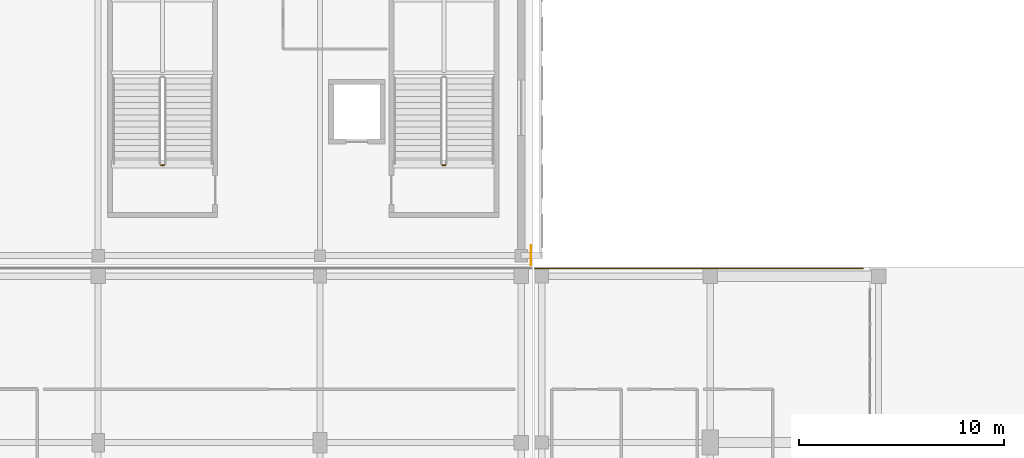
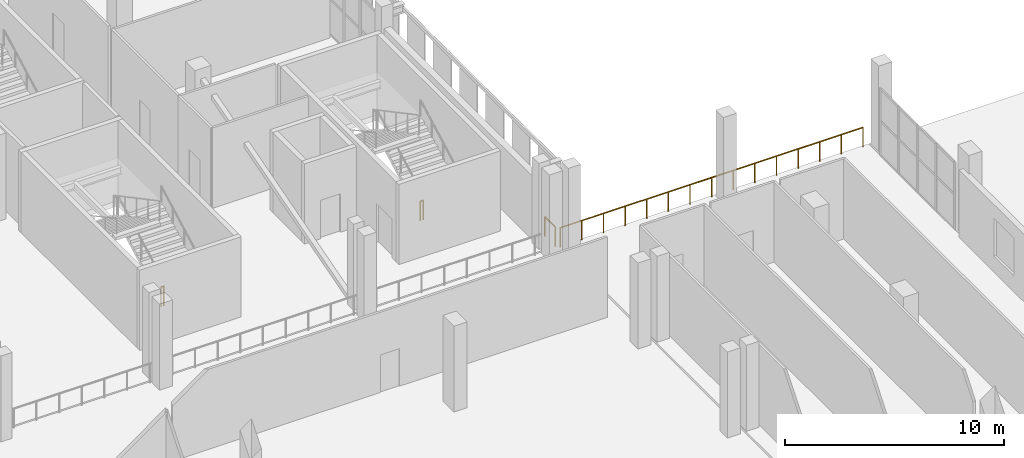
# One storey, part 130 of 142: 4 railings.
"""IFC4 building model written with IfcOpenShell, lengths in metres."""

from ifc_helpers import new_model, si_unit, direction, frame, origin, origin_2d, place, context, subcontext, project, spatial, circle, extrude, material, type_object, element, save


model = new_model("IFC4")

# Units and contexts
model_context = context("Model", 3, precision=1e-05, world=origin(), true_north=direction((0.0, 1.0)))
body_context = subcontext(model_context, "Body", "Model", "MODEL_VIEW")
ifc_project = project(units=[si_unit("LENGTHUNIT", "METRE"), si_unit("AREAUNIT", "SQUARE_METRE"), si_unit("VOLUMEUNIT", "CUBIC_METRE"), si_unit("PLANEANGLEUNIT", "RADIAN"), si_unit("MASSUNIT", "GRAM", prefix="KILO")], contexts=[model_context])

# Site, building, storey
site_placement = place(None, origin())
site = spatial("IfcSite", under=ifc_project, at=site_placement, CompositionType="ELEMENT")
building_placement = place(site_placement, origin())
building = spatial("IfcBuilding", under=site, at=building_placement, Name="Koshinbarg Plaza Stadium", CompositionType="ELEMENT")
storey_placement = place(building_placement, frame((0.0, 0.0, 10.199951171875)))
storey = spatial("IfcBuildingStorey", under=building, at=storey_placement, Name="L02", CompositionType="ELEMENT", Elevation=10.199951171875)

# Railings
ifc_material_1 = material(Name="Toughened laminated glass and stainless steel sightline balustrade", Category="steel")
railing_type_1 = type_object("IfcRailingType", Name="RL-BOWL-1100", PredefinedType="BALUSTRADE", material=ifc_material_1)
railing_1_placement = place(storey_placement, frame((218.875, 25.9912109375, 0.0)))
element("IfcRailing", 1, at=railing_1_placement, inside=storey, type_object=railing_type_1, Name="L02 deck edge safety balustrade 0135", PredefinedType="BALUSTRADE", context=body_context, shape_type="SweptSolid", body=[
    extrude(circle(Radius=0.02392578125, at=origin_2d()), frame((0.0, 0.0, 1.076171875), z_axis=(0.0, -1.0, 0.0), x_axis=(1.0, 0.0, 0.0)), (0.0, 0.0, 1.0), 0.9462890625),
    extrude(circle(Radius=0.02099609375, at=origin_2d()), origin(), (0.0, 0.0, 1.0), 1.052001953125),
    extrude(circle(Radius=0.02099609375, at=origin_2d()), frame((0.0, -0.9462890625, 0.0)), (0.0, 0.0, 1.0), 1.052001953125),
])
railing_2_placement = place(storey_placement, frame((219.044921875, 24.875, 0.0)))
element("IfcRailing", 2, at=railing_2_placement, inside=storey, type_object=railing_type_1, Name="L02 deck edge safety balustrade 0198", PredefinedType="BALUSTRADE", context=body_context, shape_type="SweptSolid", body=[
    extrude(circle(Radius=0.02392578125, at=origin_2d()), frame((0.0, 0.0, 1.076171875), z_axis=(1.0, 0.0, 0.0), x_axis=(0.0, 1.0, 0.0)), (0.0, 0.0, 1.0), 15.9951171875),
    extrude(circle(Radius=0.02099609375, at=origin_2d()), origin(), (0.0, 0.0, 1.0), 1.052001953125),
    extrude(circle(Radius=0.02099609375, at=origin_2d()), frame((1.142578125, 0.0, 0.0)), (0.0, 0.0, 1.0), 1.052001953125),
    extrude(circle(Radius=0.02099609375, at=origin_2d()), frame((2.284912109375, 0.0, 0.0)), (0.0, 0.0, 1.0), 1.052001953125),
    extrude(circle(Radius=0.02099609375, at=origin_2d()), frame((3.427490234375, 0.0, 0.0)), (0.0, 0.0, 1.0), 1.052001953125),
    extrude(circle(Radius=0.02099609375, at=origin_2d()), frame((4.570068359375, 0.0, 0.0)), (0.0, 0.0, 1.0), 1.052001953125),
    extrude(circle(Radius=0.02099609375, at=origin_2d()), frame((5.712646484375, 0.0, 0.0)), (0.0, 0.0, 1.0), 1.052001953125),
    extrude(circle(Radius=0.02099609375, at=origin_2d()), frame((6.85498046875, 0.0, 0.0)), (0.0, 0.0, 1.0), 1.052001953125),
    extrude(circle(Radius=0.02099609375, at=origin_2d()), frame((7.99755859375, 0.0, 0.0)), (0.0, 0.0, 1.0), 1.052001953125),
    extrude(circle(Radius=0.02099609375, at=origin_2d()), frame((9.14013671875, 0.0, 0.0)), (0.0, 0.0, 1.0), 1.052001953125),
    extrude(circle(Radius=0.02099609375, at=origin_2d()), frame((10.282470703125, 0.0, 0.0)), (0.0, 0.0, 1.0), 1.052001953125),
    extrude(circle(Radius=0.02099609375, at=origin_2d()), frame((11.425048828125, 0.0, 0.0)), (0.0, 0.0, 1.0), 1.052001953125),
    extrude(circle(Radius=0.02099609375, at=origin_2d()), frame((12.567626953125, 0.0, 0.0)), (0.0, 0.0, 1.0), 1.052001953125),
    extrude(circle(Radius=0.02099609375, at=origin_2d()), frame((13.710205078125, 0.0, 0.0)), (0.0, 0.0, 1.0), 1.052001953125),
    extrude(circle(Radius=0.02099609375, at=origin_2d()), frame((14.8525390625, 0.0, 0.0)), (0.0, 0.0, 1.0), 1.052001953125),
    extrude(circle(Radius=0.02099609375, at=origin_2d()), frame((15.9951171875, 0.0, 0.0)), (0.0, 0.0, 1.0), 1.052001953125),
])
ifc_material_2 = material(Name="Galvanized painted steel guardrail", Category="steel")
railing_type_2 = type_object("IfcRailingType", Name="RL-GUARD-1100", PredefinedType="GUARDRAIL", material=ifc_material_2)
for number, where, name in (
    (3, (214.7099609375, 29.909912109375, 0.0), "L02 C07 stair guard 4"),
    (4, (201.010009765625, 29.909912109375, 0.0), "L02 VX07 stair guard 4"),
):
    element("IfcRailing", number, at=place(storey_placement, frame(where)), inside=storey, type_object=railing_type_2, Name=name, PredefinedType="GUARDRAIL", context=body_context, shape_type="SweptSolid", body=[
        extrude(circle(Radius=0.02392578125, at=origin_2d()), frame((0.0, 0.0, 1.076171875), z_axis=(-1.0, 0.0, 0.0), x_axis=(0.0, -1.0, 0.0)), (0.0, 0.0, 1.0), 0.14990234375),
        extrude(circle(Radius=0.02099609375, at=origin_2d()), origin(), (0.0, 0.0, 1.0), 1.052001953125),
        extrude(circle(Radius=0.02099609375, at=origin_2d()), frame((-0.14990234375, 0.0, 0.0)), (0.0, 0.0, 1.0), 1.052001953125),
    ])

save(model, "model.ifc")
